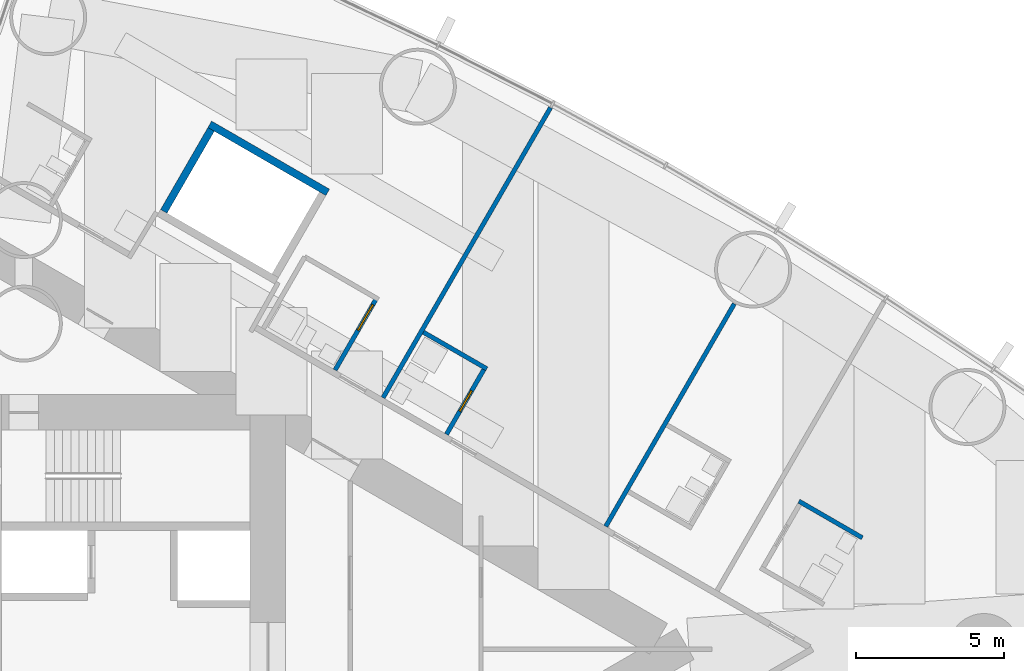
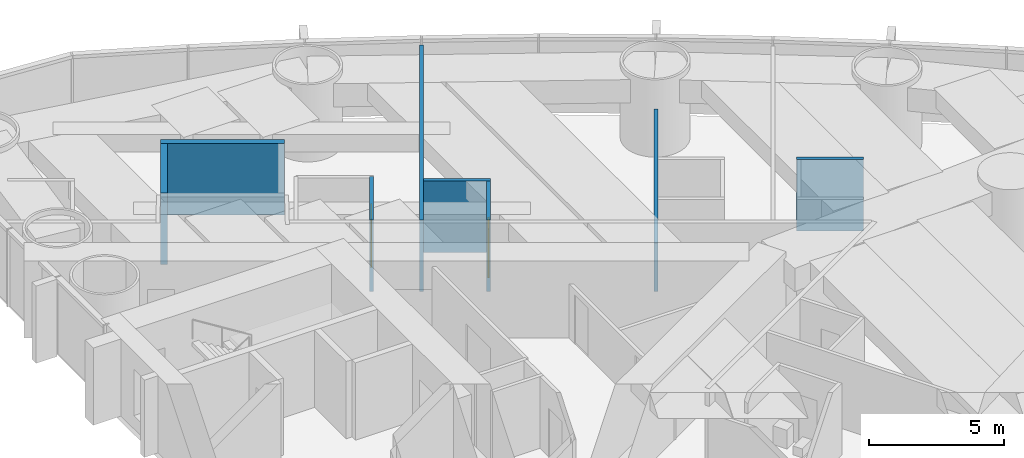
# One storey, part 15 of 18: 8 walls, 2 doors, 2 openings.
"""IFC4 building model written with IfcOpenShell, lengths in metres."""

from ifc_helpers import new_model, si_unit, direction, frame, frame_2d, origin, place, context, subcontext, project, spatial, rectangle, extrude, material, layer, layer_set, type_object, element, fill, save


model = new_model("IFC4")

# Units and contexts
model_context = context("Model", 3, precision=1e-05, world=origin(), true_north=direction((0.0, 1.0)))
body_context = subcontext(model_context, "Body", "Model", "MODEL_VIEW")
ifc_project = project(units=[si_unit("LENGTHUNIT", "METRE"), si_unit("AREAUNIT", "SQUARE_METRE"), si_unit("VOLUMEUNIT", "CUBIC_METRE"), si_unit("PLANEANGLEUNIT", "RADIAN"), si_unit("MASSUNIT", "GRAM", prefix="KILO")], contexts=[model_context])

# Site, building, storey
site_placement = place(None, origin())
site = spatial("IfcSite", under=ifc_project, at=site_placement, CompositionType="ELEMENT")
building_placement = place(site_placement, origin())
building = spatial("IfcBuilding", under=site, at=building_placement, Name="Lancet Gate Hotel", CompositionType="ELEMENT")
storey_placement = place(building_placement, frame((0.0, 0.0, 125.60009765625)))
storey = spatial("IfcBuildingStorey", under=building, at=storey_placement, Name="L33", CompositionType="ELEMENT", Elevation=125.60009765625)

# Walls
ifc_material_1 = material(Name="Moisture resistant board partition")
ifc_layer_1 = layer(ifc_material_1, 0.14990234375)
ifc_layer_set_1 = layer_set([ifc_layer_1], Name="Bathroom wall 150")
wall_type_1 = type_object("IfcWallType", Name="Bathroom wall 150", PredefinedType="PARTITIONING", material=ifc_layer_set_1)
wall_1_placement = place(storey_placement, frame((55.2451171875, 4.998291015625, 0.0), z_axis=(0.0, 0.0, 1.0), x_axis=(0.866006523861, -0.500032699561, 0.0)))
element("IfcWall", 1, at=wall_1_placement, inside=storey, type_object=wall_type_1, Name="T2 bathroom wall 150 L33", PredefinedType="PARTITIONING", context=body_context, shape_type="SweptSolid", body=[
    extrude(rectangle(XDim=2.474853515625, YDim=0.14990234375, at=frame_2d((1.2373046875, 0.0))), origin(), (0.0, 0.0, 1.0), 3.25),
])
wall_2_placement = place(storey_placement, frame((42.5546875, 10.708251953125, 0.0), z_axis=(0.0, 0.0, 1.0), x_axis=(0.866073894602, -0.499916002032, 0.0)))
element("IfcWall", 2, at=wall_2_placement, inside=storey, type_object=wall_type_1, Name="T2 bathroom wall 150 L33", PredefinedType="PARTITIONING", context=body_context, shape_type="SweptSolid", body=[
    extrude(rectangle(XDim=2.47509765625, YDim=0.14990234375, at=frame_2d((1.237548828125, 0.0))), origin(), (0.0, 0.0, 1.0), 3.25),
])

# Wall, opening, door
wall_3_placement = place(storey_placement, frame((43.333251953125, 7.256591796875, 0.0), z_axis=(0.0, 0.0, 1.0), x_axis=(0.500006934395, 0.866021400173, 0.0)))
wall_3 = element("IfcWall", 3, at=wall_3_placement, inside=storey, type_object=wall_type_1, Name="T2 bathroom wall 150 L33", PredefinedType="PARTITIONING", context=body_context, shape_type="SweptSolid", body=[
    extrude(rectangle(XDim=2.60009765625, YDim=0.14990234375, at=frame_2d((1.300048828125, 0.0))), origin(), (0.0, 0.0, 1.0), 3.25),
])
opening_1_placement = place(wall_3_placement, frame((0.89990234375, 0.0, 0.0)))
opening_1 = element("IfcOpeningElement", 4, at=opening_1_placement, cuts=wall_3, Name="Opening 3360-B", PredefinedType="OPENING", context=body_context, shape_type="SweptSolid", body=[
    extrude(rectangle(XDim=0.800048828125, YDim=2.199951171875, at=frame_2d((0.39990234375, 1.10009765625))), frame((0.0, 0.0849609375, 0.0), z_axis=(0.0, -1.0, 0.0), x_axis=(1.0, 0.0, 0.0)), (0.0, 0.0, 1.0), 0.169921875),
])
ifc_material_2 = material(Name="Timber door set", Category="wood")
door_type_1 = type_object("IfcDoorType", Name="Bathroom door 800", OperationType="SINGLE_SWING_RIGHT", PredefinedType="DOOR", material=ifc_material_2)
door_1_placement = place(opening_1_placement, origin())
door_1 = element("IfcDoor", 5, at=door_1_placement, inside=storey, type_object=door_type_1, Name="3360-B", OperationType="SINGLE_SWING_RIGHT", OverallHeight=2.199951171875, OverallWidth=0.800048828125, PredefinedType="DOOR", context=body_context, shape_type="SweptSolid", body=[
    extrude(rectangle(XDim=0.800048828125, YDim=2.199951171875, at=frame_2d((0.39990234375, 1.10009765625))), frame((0.0, 0.02490234375, 0.0), z_axis=(0.0, -1.0, 0.0), x_axis=(1.0, 0.0, 0.0)), (0.0, 0.0, 1.0), 0.050048828125),
])
fill(opening_1, door_1)

wall_4_placement = place(storey_placement, frame((39.56884765625, 9.43017578125, 0.0), z_axis=(0.0, 0.0, 1.0), x_axis=(0.49998411664, 0.866034573852, 0.0)))
wall_4 = element("IfcWall", 6, at=wall_4_placement, inside=storey, type_object=wall_type_1, Name="T2 bathroom wall 150 L33", PredefinedType="PARTITIONING", context=body_context, shape_type="SweptSolid", body=[
    extrude(rectangle(XDim=2.7998046875, YDim=0.14990234375, at=frame_2d((1.39990234375, 0.0))), origin(), (0.0, 0.0, 1.0), 3.25),
])
opening_2_placement = place(wall_4_placement, frame((1.550048828125, 0.0, 0.0)))
opening_2 = element("IfcOpeningElement", 7, at=opening_2_placement, cuts=wall_4, Name="Opening 3362-B", PredefinedType="OPENING", context=body_context, shape_type="SweptSolid", body=[
    extrude(rectangle(XDim=1.0, YDim=2.199951171875, at=frame_2d((0.5, 1.10009765625))), frame((0.0, 0.0849609375, 0.0), z_axis=(0.0, -1.0, 0.0), x_axis=(1.0, 0.0, 0.0)), (0.0, 0.0, 1.0), 0.169921875),
])
ifc_material_3 = material(Name="Timber door set", Category="wood")
door_type_2 = type_object("IfcDoorType", Name="Accessible en-suite door 1000", OperationType="SINGLE_SWING_RIGHT", PredefinedType="DOOR", material=ifc_material_3)
door_2_placement = place(opening_2_placement, origin())
door_2 = element("IfcDoor", 8, at=door_2_placement, inside=storey, type_object=door_type_2, Name="3362-B", OperationType="SINGLE_SWING_RIGHT", OverallHeight=2.199951171875, OverallWidth=1.0, PredefinedType="DOOR", context=body_context, shape_type="SweptSolid", body=[
    extrude(rectangle(XDim=1.0, YDim=2.199951171875, at=frame_2d((0.5, 1.10009765625))), frame((0.0, 0.02490234375, 0.0), z_axis=(0.0, -1.0, 0.0), x_axis=(1.0, 0.0, 0.0)), (0.0, 0.0, 1.0), 0.050048828125),
])
fill(opening_2, door_2)

# Walls
ifc_material_4 = material(Name="Gypsum board partition")
ifc_layer_2 = layer(ifc_material_4, 0.25)
ifc_layer_set_2 = layer_set([ifc_layer_2], Name="Lift shaft partition 250")
wall_type_2 = type_object("IfcWallType", Name="Lift shaft partition 250", PredefinedType="PARTITIONING", material=ifc_layer_set_2)
wall_5_placement = place(storey_placement, frame((35.33349609375, 17.73583984375, 0.0), z_axis=(0.0, 0.0, 1.0), x_axis=(0.866043305498, -0.49996899204, 0.0)))
element("IfcWall", 9, at=wall_5_placement, inside=storey, type_object=wall_type_2, Name="T2 lift shaft wall EX L33", PredefinedType="PARTITIONING", context=body_context, shape_type="SweptSolid", body=[
    extrude(rectangle(XDim=4.600341796875, YDim=0.25, at=frame_2d((2.30029296875, 0.0))), origin(), (0.0, 0.0, 1.0), 3.25),
])
wall_6_placement = place(storey_placement, frame((33.779296875, 14.79296875, 0.0), z_axis=(0.0, 0.0, 1.0), x_axis=(0.499929347863, 0.866066190972, 0.0)))
element("IfcWall", 10, at=wall_6_placement, inside=storey, type_object=wall_type_2, Name="T2 lift shaft wall EX L33", PredefinedType="PARTITIONING", context=body_context, shape_type="SweptSolid", body=[
    extrude(rectangle(XDim=3.20068359375, YDim=0.25, at=frame_2d((1.600341796875, 0.0))), origin(), (0.0, 0.0, 1.0), 3.25),
])
ifc_material_5 = material(Name="Gypsum board partition")
ifc_layer_3 = layer(ifc_material_5, 0.14990234375)
ifc_layer_set_3 = layer_set([ifc_layer_3], Name="Party wall 150")
wall_type_3 = type_object("IfcWallType", Name="Party wall 150", PredefinedType="PARTITIONING", material=ifc_layer_set_3)
wall_7_placement = place(storey_placement, frame((41.18994140625, 8.494140625, 0.0), z_axis=(0.0, 0.0, 1.0), x_axis=(0.49999258054, 0.866029687369, 0.0)))
element("IfcWall", 11, at=wall_7_placement, inside=storey, type_object=wall_type_3, Name="T2 party wall 150 L33", PredefinedType="PARTITIONING", context=body_context, shape_type="SweptSolid", body=[
    extrude(rectangle(XDim=11.318115234375, YDim=0.14990234375, at=frame_2d((5.6591796875, 0.0))), origin(), (0.0, 0.0, 1.0), 3.25),
])
wall_8_placement = place(storey_placement, frame((48.718505859375, 4.1474609375, 0.0), z_axis=(0.0, 0.0, 1.0), x_axis=(0.499993328235, 0.866029255696, 0.0)))
element("IfcWall", 12, at=wall_8_placement, inside=storey, type_object=wall_type_3, Name="T2 party wall 150 L33", PredefinedType="PARTITIONING", context=body_context, shape_type="SweptSolid", body=[
    extrude(rectangle(XDim=8.68603515625, YDim=0.14990234375, at=frame_2d((4.343017578125, 0.0))), origin(), (0.0, 0.0, 1.0), 2.199951171875),
])

save(model, "model.ifc")
